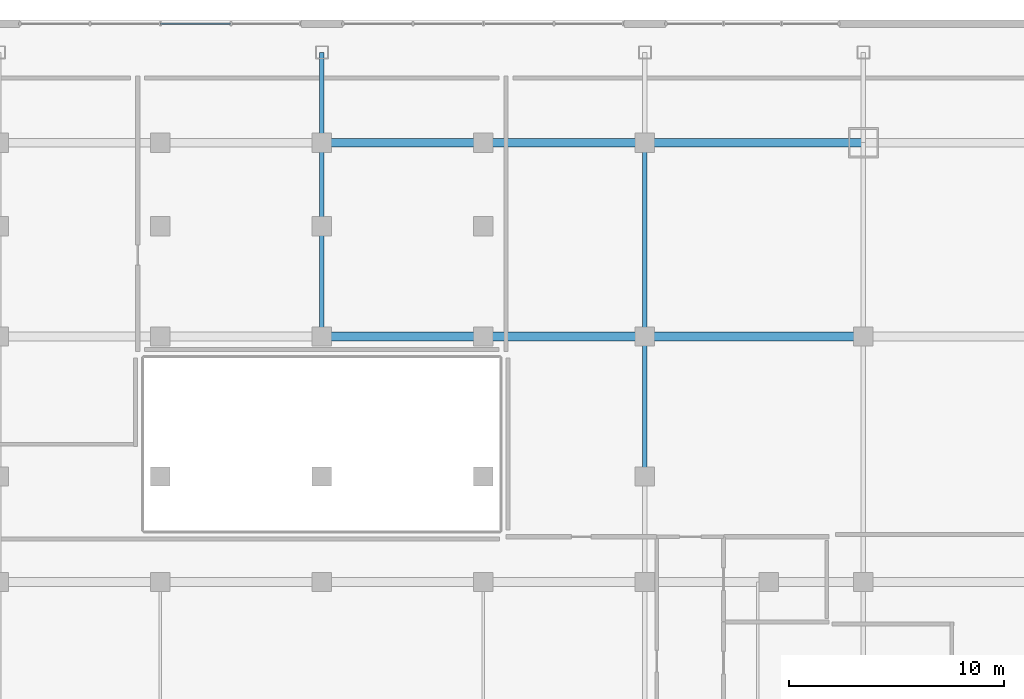
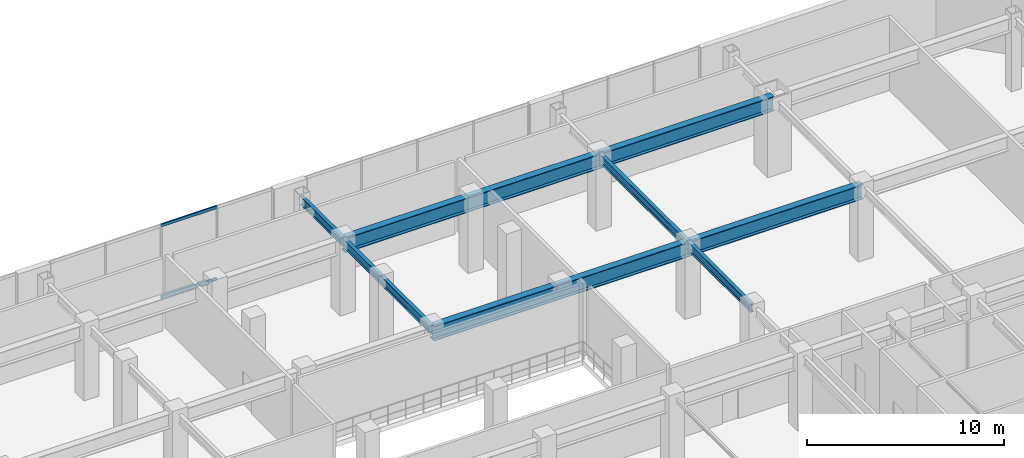
# One storey, part 5 of 15: 8 beams, 2 members, 1 element without a shape of its own.
"""IFC4 building model written with IfcOpenShell, lengths in metres."""

from ifc_helpers import new_model, si_unit, direction, frame, origin, origin_2d, place, context, subcontext, project, spatial, hollow_rectangle, i_section, extrude, material, material_profile, profile_set, type_object, element, aggregate, save


model = new_model("IFC4")

# Units and contexts
model_context = context("Model", 3, precision=1e-05, world=origin(), true_north=direction((0.0, 1.0)))
body_context = subcontext(model_context, "Body", "Model", "MODEL_VIEW")
ifc_project = project(units=[si_unit("LENGTHUNIT", "METRE"), si_unit("AREAUNIT", "SQUARE_METRE"), si_unit("VOLUMEUNIT", "CUBIC_METRE"), si_unit("PLANEANGLEUNIT", "RADIAN"), si_unit("MASSUNIT", "GRAM", prefix="KILO")], contexts=[model_context])

# Site, building, storey
site_placement = place(None, origin())
site = spatial("IfcSite", under=ifc_project, at=site_placement, CompositionType="ELEMENT")
building_placement = place(site_placement, origin())
building = spatial("IfcBuilding", under=site, at=building_placement, Name="Ventersveld Concourse Tower", CompositionType="ELEMENT")
storey_placement = place(building_placement, frame((0.0, 0.0, 5.39990234375)))
storey = spatial("IfcBuildingStorey", under=building, at=storey_placement, Name="L01", CompositionType="ELEMENT", Elevation=5.39990234375)

# Curtain wall, members
ifc_material_1 = material(Name="Anodised aluminium EN AW-6063-T6", Category="aluminium")
curtain_wall_type = type_object("IfcCurtainWallType", Name="CW-POD-2", PredefinedType="NOTDEFINED", material=ifc_material_1)
curtain_wall_placement = place(storey_placement, origin())
curtain_wall = element("IfcCurtainWall", 1, at=curtain_wall_placement, inside=storey, type_object=curtain_wall_type, Name="L01 L01 Podium Gallery Curtain Wall 2", PredefinedType="NOTDEFINED")
ifc_material_profile_1 = material_profile(ifc_material_1, hollow_rectangle(XDim=0.074951171875, YDim=0.179931640625, WallThickness=0.00390625, at=origin_2d()), Name="ALU 180x75x4")
ifc_profile_set_1 = profile_set([ifc_material_profile_1], Name="Anodised aluminium EN AW-6063-T6")
member_type = type_object("IfcMemberType", Name="CWT-180x75", PredefinedType="USERDEFINED", material=ifc_profile_set_1)
member_1_placement = place(storey_placement, frame((21.260009765625, 49.52001953125, 0.030029296875), z_axis=(1.0, 0.0, 0.0), x_axis=(0.0, 1.0, 0.0)))
member_1 = element("IfcMember", 2, at=member_1_placement, type_object=member_type, Name="CW-L01-N2 Transom 1-03", ObjectType="TRANSOM", PredefinedType="USERDEFINED", context=body_context, shape_type="SweptSolid", body=[
    extrude(hollow_rectangle(XDim=0.074951171875, YDim=0.179931640625, WallThickness=0.00390625, at=origin_2d()), origin(), (0.0, 0.0, 1.0), 3.2548828125),
])
member_2_placement = place(storey_placement, frame((21.260009765625, 49.52001953125, 4.47021484375), z_axis=(1.0, 0.0, 0.0), x_axis=(0.0, 1.0, 0.0)))
member_2 = element("IfcMember", 3, at=member_2_placement, type_object=member_type, Name="CW-L01-N2 Transom 2-03", ObjectType="TRANSOM", PredefinedType="USERDEFINED", context=body_context, shape_type="SweptSolid", body=[
    extrude(hollow_rectangle(XDim=0.074951171875, YDim=0.179931640625, WallThickness=0.00390625, at=origin_2d()), origin(), (0.0, 0.0, 1.0), 3.2548828125),
])
aggregate(curtain_wall, [member_1, member_2])

# Beams
ifc_material_2 = material(Name="Structural steel S355J2", Category="steel")
ifc_material_profile_2 = material_profile(ifc_material_2, i_section(OverallWidth=0.39990234375, OverallDepth=0.89990234375, WebThickness=0.02197265625, FlangeThickness=0.035888671875, at=origin_2d()), Name="PG 900x400x36")
ifc_profile_set_2 = profile_set([ifc_material_profile_2], Name="Structural steel S355J2")
beam_type_1 = type_object("IfcBeamType", Name="GRD-PG900", PredefinedType="USERDEFINED", material=ifc_profile_set_2)
beam_1_placement = place(storey_placement, frame((28.75, 35.0, 4.050048828125), z_axis=(1.0, 0.0, 0.0), x_axis=(0.0, 1.0, 0.0)))
element("IfcBeam", 4, at=beam_1_placement, inside=storey, type_object=beam_type_1, Name="L01 Podium Primary Girder Y=35.0m", ObjectType="GIRDER", PredefinedType="USERDEFINED", context=body_context, shape_type="SweptSolid", body=[
    extrude(i_section(OverallWidth=0.39990234375, OverallDepth=0.89990234375, WebThickness=0.02197265625, FlangeThickness=0.035888671875, at=origin_2d()), origin(), (0.0, 0.0, 1.0), 15.0),
])
beam_2_placement = place(storey_placement, frame((43.75, 35.0, 4.050048828125), z_axis=(1.0, 0.0, 0.0), x_axis=(0.0, 1.0, 0.0)))
element("IfcBeam", 5, at=beam_2_placement, inside=storey, type_object=beam_type_1, Name="L01 Podium Primary Girder Y=35.0m", ObjectType="GIRDER", PredefinedType="USERDEFINED", context=body_context, shape_type="SweptSolid", body=[
    extrude(i_section(OverallWidth=0.39990234375, OverallDepth=0.89990234375, WebThickness=0.02197265625, FlangeThickness=0.035888671875, at=origin_2d()), origin(), (0.0, 0.0, 1.0), 10.14990234375),
])
beam_3_placement = place(storey_placement, frame((28.75, 44.0, 4.050048828125), z_axis=(1.0, 0.0, 0.0), x_axis=(0.0, 1.0, 0.0)))
element("IfcBeam", 6, at=beam_3_placement, inside=storey, type_object=beam_type_1, Name="L01 Podium Primary Girder Y=44.0m", ObjectType="GIRDER", PredefinedType="USERDEFINED", context=body_context, shape_type="SweptSolid", body=[
    extrude(i_section(OverallWidth=0.39990234375, OverallDepth=0.89990234375, WebThickness=0.02197265625, FlangeThickness=0.035888671875, at=origin_2d()), origin(), (0.0, 0.0, 1.0), 15.0),
])
beam_4_placement = place(storey_placement, frame((43.75, 44.0, 4.050048828125), z_axis=(1.0, 0.0, 0.0), x_axis=(0.0, 1.0, 0.0)))
element("IfcBeam", 7, at=beam_4_placement, inside=storey, type_object=beam_type_1, Name="L01 Podium Primary Girder Y=44.0m", ObjectType="GIRDER", PredefinedType="USERDEFINED", context=body_context, shape_type="SweptSolid", body=[
    extrude(i_section(OverallWidth=0.39990234375, OverallDepth=0.89990234375, WebThickness=0.02197265625, FlangeThickness=0.035888671875, at=origin_2d()), origin(), (0.0, 0.0, 1.0), 10.14990234375),
])
ifc_material_profile_3 = material_profile(ifc_material_2, i_section(OverallWidth=0.209228515625, OverallDepth=0.533203125, WebThickness=0.010009765625, FlangeThickness=0.015625, FilletRadius=0.0126953125, at=origin_2d()), Name="UB 533x210x92")
ifc_profile_set_3 = profile_set([ifc_material_profile_3], Name="Structural steel S355J2")
beam_type_2 = type_object("IfcBeamType", Name="GRD-UB533", PredefinedType="T_BEAM", material=ifc_profile_set_3)
beam_5_placement = place(storey_placement, frame((28.75, 35.0, 4.2333984375), z_axis=(0.0, 1.0, 0.0), x_axis=(-1.0, 0.0, 0.0)))
element("IfcBeam", 8, at=beam_5_placement, inside=storey, type_object=beam_type_2, Name="L01 Podium N-S Girder X=28.75m", PredefinedType="T_BEAM", context=body_context, shape_type="SweptSolid", body=[
    extrude(i_section(OverallWidth=0.209228515625, OverallDepth=0.533203125, WebThickness=0.010009765625, FlangeThickness=0.015625, FilletRadius=0.0126953125, at=origin_2d()), origin(), (0.0, 0.0, 1.0), 9.0),
])
beam_6_placement = place(storey_placement, frame((28.75, 44.0, 4.2333984375), z_axis=(0.0, 1.0, 0.0), x_axis=(-1.0, 0.0, 0.0)))
element("IfcBeam", 9, at=beam_6_placement, inside=storey, type_object=beam_type_2, Name="L01 Podium N-S Girder X=28.75m", PredefinedType="T_BEAM", context=body_context, shape_type="SweptSolid", body=[
    extrude(i_section(OverallWidth=0.209228515625, OverallDepth=0.533203125, WebThickness=0.010009765625, FlangeThickness=0.015625, FilletRadius=0.0126953125, at=origin_2d()), origin(), (0.0, 0.0, 1.0), 4.199951171875),
])
beam_7_placement = place(storey_placement, frame((43.75, 28.5, 4.2333984375), z_axis=(0.0, 1.0, 0.0), x_axis=(-1.0, 0.0, 0.0)))
element("IfcBeam", 10, at=beam_7_placement, inside=storey, type_object=beam_type_2, Name="L01 Podium N-S Girder X=43.75m", PredefinedType="T_BEAM", context=body_context, shape_type="SweptSolid", body=[
    extrude(i_section(OverallWidth=0.209228515625, OverallDepth=0.533203125, WebThickness=0.010009765625, FlangeThickness=0.015625, FilletRadius=0.0126953125, at=origin_2d()), origin(), (0.0, 0.0, 1.0), 6.5),
])
beam_8_placement = place(storey_placement, frame((43.75, 35.0, 4.2333984375), z_axis=(0.0, 1.0, 0.0), x_axis=(-1.0, 0.0, 0.0)))
element("IfcBeam", 11, at=beam_8_placement, inside=storey, type_object=beam_type_2, Name="L01 Podium N-S Girder X=43.75m", PredefinedType="T_BEAM", context=body_context, shape_type="SweptSolid", body=[
    extrude(i_section(OverallWidth=0.209228515625, OverallDepth=0.533203125, WebThickness=0.010009765625, FlangeThickness=0.015625, FilletRadius=0.0126953125, at=origin_2d()), origin(), (0.0, 0.0, 1.0), 9.0),
])

save(model, "model.ifc")
